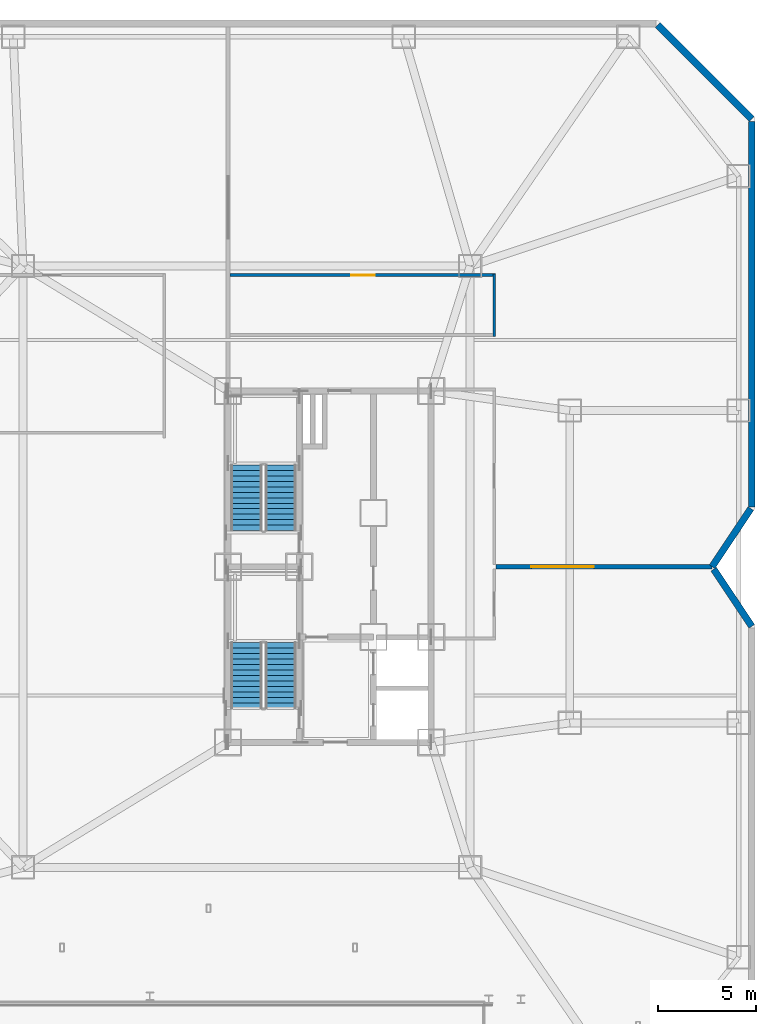
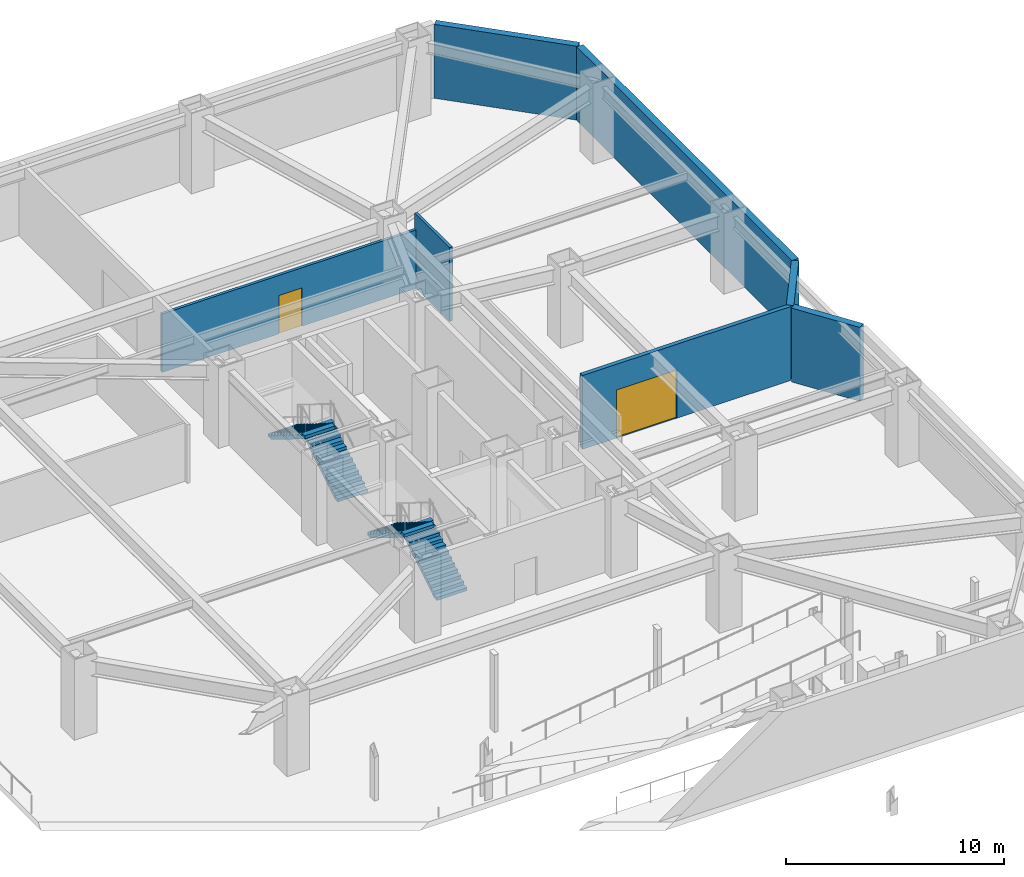
# One storey, part 10 of 14: 7 walls, 4 stair flights, 2 doors, 2 openings, 2 elements without a shape of their own.
"""IFC4 building model written with IfcOpenShell, lengths in metres."""

from ifc_helpers import new_model, si_unit, direction, frame, frame_2d, origin, place, context, subcontext, project, spatial, polyline, rectangle, outline, extrude, material, layer, layer_set, type_object, element, fill, aggregate, save


model = new_model("IFC4")

# Units and contexts
model_context = context("Model", 3, precision=1e-05, world=origin(), true_north=direction((0.0, 1.0)))
body_context = subcontext(model_context, "Body", "Model", "MODEL_VIEW")
ifc_project = project(units=[si_unit("LENGTHUNIT", "METRE"), si_unit("AREAUNIT", "SQUARE_METRE"), si_unit("VOLUMEUNIT", "CUBIC_METRE"), si_unit("PLANEANGLEUNIT", "RADIAN"), si_unit("MASSUNIT", "GRAM", prefix="KILO")], contexts=[model_context])

# Site, building, storey
site_placement = place(None, origin())
site = spatial("IfcSite", under=ifc_project, at=site_placement, CompositionType="ELEMENT")
building_placement = place(site_placement, origin())
building = spatial("IfcBuilding", under=site, at=building_placement, Name="Khamvora Tower", CompositionType="ELEMENT")
storey_placement = place(building_placement, frame((0.0, 0.0, -4.5)))
storey = spatial("IfcBuildingStorey", under=building, at=storey_placement, Name="B1", CompositionType="ELEMENT", Elevation=-4.5)

# Wall
ifc_material_1 = material(Name="Fire-Rated Drywall and Steel Stud", Category="steel")
ifc_layer_1 = layer(ifc_material_1, 0.14990234375)
ifc_layer_set_1 = layer_set([ifc_layer_1], Name="Fire-Rated Drywall and Steel Stud")
wall_type_1 = type_object("IfcWallType", Name="WAL-CORR-150", PredefinedType="STANDARD", material=ifc_layer_set_1)
wall_1_placement = place(storey_placement, frame((42.635009765625, 39.800048828125, 0.0), z_axis=(0.0, 0.0, 1.0), x_axis=(0.0, 1.0, 0.0)))
element("IfcWall", 1, at=wall_1_placement, inside=storey, type_object=wall_type_1, Name="B1 interior partition wall 008", PredefinedType="STANDARD", context=body_context, shape_type="SweptSolid", body=[
    extrude(rectangle(XDim=3.199951171875, YDim=0.14990234375, at=frame_2d((1.60009765625, 0.0))), origin(), (0.0, 0.0, 1.0), 4.139892578125),
])

# Wall, opening, door
wall_2_placement = place(storey_placement, frame((42.699951171875, 42.93505859375, 0.0), z_axis=(0.0, 0.0, 1.0), x_axis=(-1.0, 0.0, 0.0)))
wall_2 = element("IfcWall", 2, at=wall_2_placement, inside=storey, type_object=wall_type_1, Name="B1 interior partition wall 009", PredefinedType="STANDARD", context=body_context, shape_type="SweptSolid", body=[
    extrude(rectangle(XDim=13.595947265625, YDim=0.14990234375, at=frame_2d((6.7978515625, 0.0))), origin(), (0.0, 0.0, 1.0), 3.27490234375),
])
opening_1_placement = place(wall_2_placement, frame((6.197998046875, 0.0, 0.0)))
opening_1 = element("IfcOpeningElement", 3, at=opening_1_placement, cuts=wall_2, Name="Opening D-PL1", PredefinedType="OPENING", context=body_context, shape_type="SweptSolid", body=[
    extrude(rectangle(XDim=1.199951171875, YDim=2.14990234375, at=frame_2d((0.60009765625, 1.074951171875))), frame((0.0, 0.0849609375, 0.0), z_axis=(0.0, -1.0, 0.0), x_axis=(1.0, 0.0, 0.0)), (0.0, 0.0, 1.0), 0.169921875),
])
ifc_material_2 = material(Name="Powder-Coated Steel and Hardwood Leaf", Category="steel")
door_type_1 = type_object("IfcDoorType", Name="DOR-PLNT-1200", OperationType="NOTDEFINED", PredefinedType="DOOR", material=ifc_material_2)
door_1_placement = place(opening_1_placement, origin())
door_1 = element("IfcDoor", 4, at=door_1_placement, inside=storey, type_object=door_type_1, Name="B1 interior door DRVN-GEN", OperationType="SINGLE_SWING_LEFT", OverallHeight=2.14990234375, OverallWidth=1.199951171875, PredefinedType="DOOR", context=body_context, shape_type="SweptSolid", body=[
    extrude(rectangle(XDim=1.199951171875, YDim=2.14990234375, at=frame_2d((0.60009765625, 1.074951171875))), frame((0.0, 0.02490234375, 0.0), z_axis=(0.0, -1.0, 0.0), x_axis=(1.0, 0.0, 0.0)), (0.0, 0.0, 1.0), 0.050048828125),
])
fill(opening_1, door_1)

# Walls
ifc_material_3 = material(Name="Concrete C40/50", Category="concrete")
ifc_layer_2 = layer(ifc_material_3, 0.35009765625)
ifc_layer_set_2 = layer_set([ifc_layer_2], Name="Concrete C40/50")
wall_type_2 = type_object("IfcWallType", Name="WAL-RET-350", PredefinedType="USERDEFINED", material=ifc_layer_set_2)
wall_3_placement = place(storey_placement, frame((51.008056640625, 55.7451171875, 0.0), z_axis=(0.0, 0.0, 1.0), x_axis=(0.70708886183, -0.707124700089, 0.0)))
element("IfcWall", 5, at=wall_3_placement, inside=storey, type_object=wall_type_2, Name="B1 perimeter retaining wall 08.1", ObjectType="RETAININGWALL", PredefinedType="USERDEFINED", context=body_context, shape_type="SweptSolid", body=[
    extrude(rectangle(XDim=6.812255859375, YDim=0.35009765625, at=frame_2d((3.40625, 0.0))), origin(), (0.0, 0.0, 1.0), 4.139892578125),
])
wall_4_placement = place(storey_placement, frame((55.824951171875, 50.81103515625, 0.0), z_axis=(0.0, 0.0, 1.0), x_axis=(0.0, -1.0, 0.0)))
element("IfcWall", 6, at=wall_4_placement, inside=storey, type_object=wall_type_2, Name="B1 perimeter retaining wall 09.1", ObjectType="RETAININGWALL", PredefinedType="USERDEFINED", context=body_context, shape_type="SweptSolid", body=[
    extrude(rectangle(XDim=19.758056640625, YDim=0.35009765625, at=frame_2d((9.87890625, 0.0))), origin(), (0.0, 0.0, 1.0), 4.139892578125),
])
wall_5_placement = place(storey_placement, frame((55.77587890625, 30.97998046875, 0.0), z_axis=(0.0, 0.0, 1.0), x_axis=(-0.554542857284, -0.83215516548, 0.0)))
element("IfcWall", 7, at=wall_5_placement, inside=storey, type_object=wall_type_2, Name="B1 perimeter retaining wall 10.1", ObjectType="RETAININGWALL", PredefinedType="USERDEFINED", context=body_context, shape_type="SweptSolid", body=[
    extrude(rectangle(XDim=3.5810546875, YDim=0.35009765625, at=frame_2d((1.79052734375, 0.0))), origin(), (0.0, 0.0, 1.0), 4.139892578125),
])
wall_6_placement = place(storey_placement, frame((53.8740234375, 27.873046875, 0.0), z_axis=(0.0, 0.0, 1.0), x_axis=(0.554748256429, -0.832018252197, 0.0)))
element("IfcWall", 8, at=wall_6_placement, inside=storey, type_object=wall_type_2, Name="B1 perimeter retaining wall 11.1", ObjectType="RETAININGWALL", PredefinedType="USERDEFINED", context=body_context, shape_type="SweptSolid", body=[
    extrude(rectangle(XDim=3.516845703125, YDim=0.35009765625, at=frame_2d((1.75830078125, 0.0))), origin(), (0.0, 0.0, 1.0), 4.139892578125),
])

# Wall, opening, door
ifc_material_4 = material(Name="Concrete C35/45", Category="concrete")
ifc_layer_3 = layer(ifc_material_4, 0.219970703125)
ifc_layer_set_3 = layer_set([ifc_layer_3], Name="Concrete C35/45")
wall_type_3 = type_object("IfcWallType", Name="WAL-VGATE-220", PredefinedType="STANDARD", material=ifc_layer_set_3)
wall_7_placement = place(storey_placement, frame((42.735107421875, 28.0, 0.0), z_axis=(0.0, 0.0, 1.0), x_axis=(1.0, 0.0, 0.0)))
wall_7 = element("IfcWall", 9, at=wall_7_placement, inside=storey, type_object=wall_type_3, Name="B1 east parking compartment shutter wall", PredefinedType="STANDARD", context=body_context, shape_type="SweptSolid", body=[
    extrude(rectangle(XDim=11.0478515625, YDim=0.219970703125, at=frame_2d((5.52392578125, 0.0))), origin(), (0.0, 0.0, 1.0), 4.139892578125),
])
opening_2_placement = place(wall_7_placement, frame((1.800048828125, 0.0, 0.0)))
opening_2 = element("IfcOpeningElement", 10, at=opening_2_placement, cuts=wall_7, Name="Opening VD-03", PredefinedType="OPENING", context=body_context, shape_type="SweptSolid", body=[
    extrude(rectangle(XDim=3.199951171875, YDim=2.699951171875, at=frame_2d((1.60009765625, 1.35009765625))), frame((0.0, 0.119873046875, 0.0), z_axis=(0.0, -1.0, 0.0), x_axis=(1.0, 0.0, 0.0)), (0.0, 0.0, 1.0), 0.239990234375),
])
ifc_material_5 = material(Name="Galvanised Steel S355JR", Category="steel")
door_type_2 = type_object("IfcDoorType", Name="DOR-VEH-3200", OperationType="ROLLINGUP", PredefinedType="GATE", material=ifc_material_5)
door_2_placement = place(opening_2_placement, origin())
door_2 = element("IfcDoor", 11, at=door_2_placement, inside=storey, type_object=door_type_2, Name="B1 east parking zone security roller shutter", OperationType="ROLLINGUP", OverallHeight=2.699951171875, OverallWidth=3.199951171875, PredefinedType="GATE", context=body_context, shape_type="SweptSolid", body=[
    extrude(rectangle(XDim=3.199951171875, YDim=2.699951171875, at=frame_2d((1.60009765625, 1.35009765625))), frame((0.0, 0.02490234375, 0.0), z_axis=(0.0, -1.0, 0.0), x_axis=(1.0, 0.0, 0.0)), (0.0, 0.0, 1.0), 0.050048828125),
])
fill(opening_2, door_2)

# Stair, stair flights
stair_type_1 = type_object("IfcStairType", Name="STR-ST-01", PredefinedType="HALF_TURN_STAIR", material=ifc_material_3)
stair_1_placement = place(storey_placement, origin())
stair_1 = element("IfcStair", 12, at=stair_1_placement, inside=storey, type_object=stair_type_1, Name="B1 South Tower Exit Stair ST-01", PredefinedType="HALF_TURN_STAIR")
stair_flight_type_1 = type_object("IfcStairFlightType", Name="STF-ST-01", PredefinedType="STRAIGHT", material=ifc_material_3)
stair_flight_1_placement = place(storey_placement, frame((31.699951171875, 20.75, 0.0), z_axis=(0.0, 0.0, 1.0), x_axis=(0.0, 1.0, 0.0)))
stair_flight_1 = element("IfcStairFlight", 13, at=stair_flight_1_placement, type_object=stair_flight_type_1, Name="ST-01 flight 1", NumberOfRisers=13, NumberOfTreads=12, PredefinedType="STRAIGHT", RiserHeight=0.173076923, TreadLength=0.28, context=body_context, shape_type="SweptSolid", body=[
    extrude(outline(polyline([(0.0, 0.0), (0.0, 0.173095703125), (0.280029296875, 0.173095703125), (0.280029296875, 0.34619140625), (0.56005859375, 0.34619140625), (0.56005859375, 0.519287109375), (0.840087890625, 0.519287109375), (0.840087890625, 0.6923828125), (1.1201171875, 0.6923828125), (1.1201171875, 0.865478515625), (1.39990234375, 0.865478515625), (1.39990234375, 1.03857421875), (1.679931640625, 1.03857421875), (1.679931640625, 1.21142578125), (1.9599609375, 1.21142578125), (1.9599609375, 1.384521484375), (2.239990234375, 1.384521484375), (2.239990234375, 1.5576171875), (2.52001953125, 1.5576171875), (2.52001953125, 1.730712890625), (2.800048828125, 1.730712890625), (2.800048828125, 1.90380859375), (3.080078125, 1.90380859375), (3.080078125, 2.076904296875), (3.360107421875, 2.076904296875), (3.360107421875, 2.25), (3.360107421875, 1.900634765625), (0.28515625, 0.0), (0.0, 0.0)])), frame((0.0, 0.800048828125, 0.0), z_axis=(0.0, -1.0, 0.0), x_axis=(1.0, 0.0, 0.0)), (0.0, 0.0, 1.0), 1.60009765625),
])
stair_flight_2_placement = place(storey_placement, frame((29.949951171875, 24.110107421875, 2.25), z_axis=(0.0, 0.0, 1.0), x_axis=(0.0, -1.0, 0.0)))
stair_flight_2 = element("IfcStairFlight", 14, at=stair_flight_2_placement, type_object=stair_flight_type_1, Name="ST-01 flight 2", NumberOfRisers=13, NumberOfTreads=12, PredefinedType="STRAIGHT", RiserHeight=0.173076923, TreadLength=0.28, context=body_context, shape_type="SweptSolid", body=[
    extrude(outline(polyline([(0.0, 0.0), (0.0, 0.173095703125), (0.280029296875, 0.173095703125), (0.280029296875, 0.34619140625), (0.56005859375, 0.34619140625), (0.56005859375, 0.519287109375), (0.840087890625, 0.519287109375), (0.840087890625, 0.6923828125), (1.1201171875, 0.6923828125), (1.1201171875, 0.865478515625), (1.39990234375, 0.865478515625), (1.39990234375, 1.03857421875), (1.679931640625, 1.03857421875), (1.679931640625, 1.21142578125), (1.9599609375, 1.21142578125), (1.9599609375, 1.384521484375), (2.239990234375, 1.384521484375), (2.239990234375, 1.5576171875), (2.52001953125, 1.5576171875), (2.52001953125, 1.730712890625), (2.800048828125, 1.730712890625), (2.800048828125, 1.90380859375), (3.080078125, 1.90380859375), (3.080078125, 2.076904296875), (3.360107421875, 2.076904296875), (3.360107421875, 2.25), (3.360107421875, 1.900634765625), (0.28515625, 0.0), (0.0, 0.0)])), frame((0.0, 0.800048828125, 0.0), z_axis=(0.0, -1.0, 0.0), x_axis=(1.0, 0.0, 0.0)), (0.0, 0.0, 1.0), 1.60009765625),
])
aggregate(stair_1, [stair_flight_1, stair_flight_2])

stair_type_2 = type_object("IfcStairType", Name="STR-ST-02", PredefinedType="HALF_TURN_STAIR", material=ifc_material_3)
stair_2_placement = place(storey_placement, origin())
stair_2 = element("IfcStair", 15, at=stair_2_placement, inside=storey, type_object=stair_type_2, Name="B1 North Tower Exit Stair ST-02", PredefinedType="HALF_TURN_STAIR")
stair_flight_type_2 = type_object("IfcStairFlightType", Name="STF-ST-02", PredefinedType="STRAIGHT", material=ifc_material_3)
stair_flight_3_placement = place(storey_placement, frame((31.699951171875, 29.85009765625, 0.0), z_axis=(0.0, 0.0, 1.0), x_axis=(0.0, 1.0, 0.0)))
stair_flight_3 = element("IfcStairFlight", 16, at=stair_flight_3_placement, type_object=stair_flight_type_2, Name="ST-02 flight 1", NumberOfRisers=13, NumberOfTreads=12, PredefinedType="STRAIGHT", RiserHeight=0.173076923, TreadLength=0.28, context=body_context, shape_type="SweptSolid", body=[
    extrude(outline(polyline([(0.0, 0.0), (0.0, 0.173095703125), (0.280029296875, 0.173095703125), (0.280029296875, 0.34619140625), (0.56005859375, 0.34619140625), (0.56005859375, 0.519287109375), (0.840087890625, 0.519287109375), (0.840087890625, 0.6923828125), (1.1201171875, 0.6923828125), (1.1201171875, 0.865478515625), (1.39990234375, 0.865478515625), (1.39990234375, 1.03857421875), (1.679931640625, 1.03857421875), (1.679931640625, 1.21142578125), (1.9599609375, 1.21142578125), (1.9599609375, 1.384521484375), (2.239990234375, 1.384521484375), (2.239990234375, 1.5576171875), (2.52001953125, 1.5576171875), (2.52001953125, 1.730712890625), (2.800048828125, 1.730712890625), (2.800048828125, 1.90380859375), (3.080078125, 1.90380859375), (3.080078125, 2.076904296875), (3.360107421875, 2.076904296875), (3.360107421875, 2.25), (3.360107421875, 1.900634765625), (0.28515625, 0.0), (0.0, 0.0)])), frame((0.0, 0.800048828125, 0.0), z_axis=(0.0, -1.0, 0.0), x_axis=(1.0, 0.0, 0.0)), (0.0, 0.0, 1.0), 1.60009765625),
])
stair_flight_4_placement = place(storey_placement, frame((29.949951171875, 33.2099609375, 2.25), z_axis=(0.0, 0.0, 1.0), x_axis=(0.0, -1.0, 0.0)))
stair_flight_4 = element("IfcStairFlight", 17, at=stair_flight_4_placement, type_object=stair_flight_type_2, Name="ST-02 flight 2", NumberOfRisers=13, NumberOfTreads=12, PredefinedType="STRAIGHT", RiserHeight=0.173076923, TreadLength=0.28, context=body_context, shape_type="SweptSolid", body=[
    extrude(outline(polyline([(0.0, 0.0), (0.0, 0.173095703125), (0.280029296875, 0.173095703125), (0.280029296875, 0.34619140625), (0.56005859375, 0.34619140625), (0.56005859375, 0.519287109375), (0.840087890625, 0.519287109375), (0.840087890625, 0.6923828125), (1.1201171875, 0.6923828125), (1.1201171875, 0.865478515625), (1.39990234375, 0.865478515625), (1.39990234375, 1.03857421875), (1.679931640625, 1.03857421875), (1.679931640625, 1.21142578125), (1.9599609375, 1.21142578125), (1.9599609375, 1.384521484375), (2.239990234375, 1.384521484375), (2.239990234375, 1.5576171875), (2.52001953125, 1.5576171875), (2.52001953125, 1.730712890625), (2.800048828125, 1.730712890625), (2.800048828125, 1.90380859375), (3.080078125, 1.90380859375), (3.080078125, 2.076904296875), (3.360107421875, 2.076904296875), (3.360107421875, 2.25), (3.360107421875, 1.900634765625), (0.28515625, 0.0), (0.0, 0.0)])), frame((0.0, 0.800048828125, 0.0), z_axis=(0.0, -1.0, 0.0), x_axis=(1.0, 0.0, 0.0)), (0.0, 0.0, 1.0), 1.60009765625),
])
aggregate(stair_2, [stair_flight_3, stair_flight_4])

save(model, "model.ifc")
